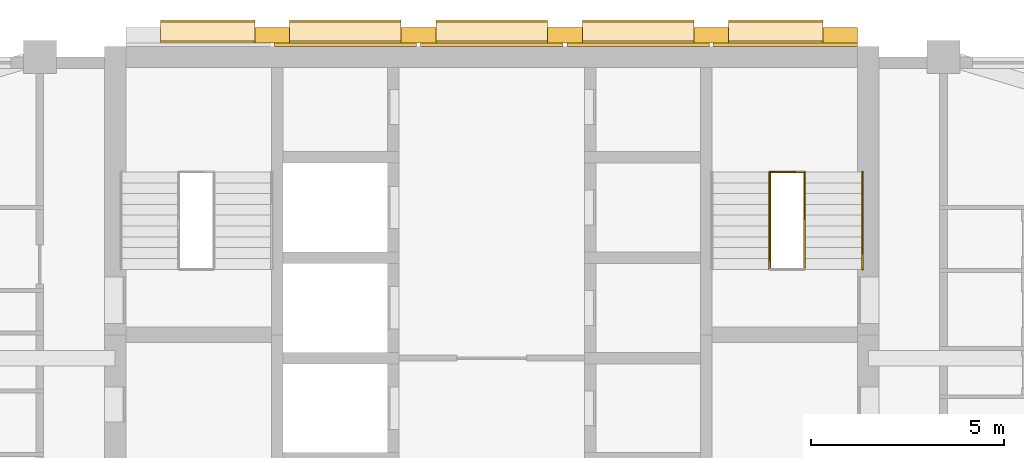
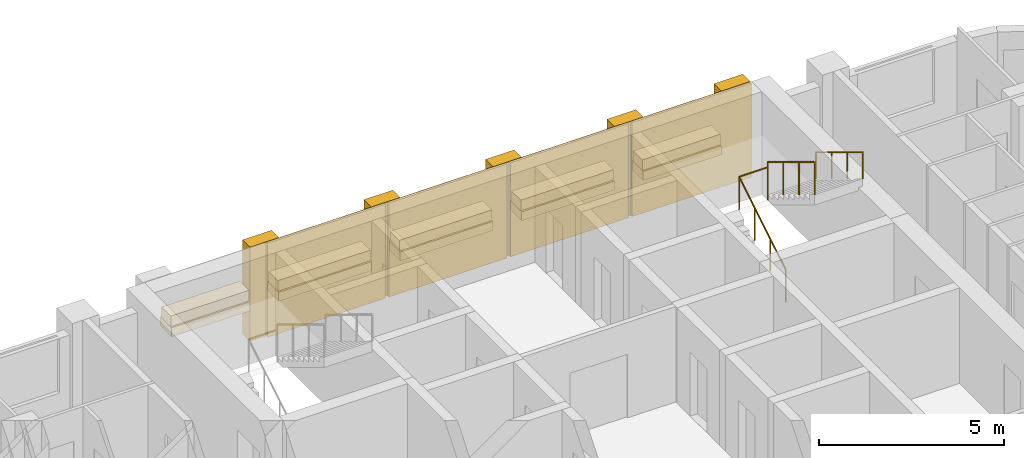
# One storey, part 14 of 14: 19 coverings, 4 railings, 1 element without a shape of its own.
"""IFC4 building model written with IfcOpenShell, lengths in metres."""

from ifc_helpers import new_model, si_unit, direction, frame, origin, origin_2d, place, context, subcontext, project, spatial, rectangle, circle, extrude, material, layer, layer_set, type_object, element, aggregate, save


model = new_model("IFC4")

# Units and contexts
model_context = context("Model", 3, precision=1e-05, world=origin(), true_north=direction((0.0, 1.0)))
body_context = subcontext(model_context, "Body", "Model", "MODEL_VIEW")
ifc_project = project(units=[si_unit("LENGTHUNIT", "METRE"), si_unit("AREAUNIT", "SQUARE_METRE"), si_unit("VOLUMEUNIT", "CUBIC_METRE"), si_unit("PLANEANGLEUNIT", "RADIAN"), si_unit("MASSUNIT", "GRAM", prefix="KILO")], contexts=[model_context])

# Site, building, storey
site_placement = place(None, origin())
site = spatial("IfcSite", under=ifc_project, at=site_placement, CompositionType="ELEMENT")
building_placement = place(site_placement, origin())
building = spatial("IfcBuilding", under=site, at=building_placement, Name="Ludao Terraces", CompositionType="ELEMENT")
storey_placement = place(building_placement, frame((0.0, 0.0, 110.10009765625)))
storey = spatial("IfcBuildingStorey", under=building, at=storey_placement, Name="L30", CompositionType="ELEMENT", Elevation=110.10009765625)

# Coverings
ifc_material_1 = material(Name="Granite cladding", Category="masonry")
ifc_layer_1 = layer(ifc_material_1, 0.39990234375)
ifc_layer_set_1 = layer_set([ifc_layer_1], Name="ENV Core pilaster stone 400")
covering_type_1 = type_object("IfcCoveringType", Name="ENV Core pilaster stone 400", PredefinedType="CLADDING", material=ifc_layer_set_1)
for number, where, z_axis, x_axis, name in (
    (1, (79.31494140625, 85.054931640625, -0.000244140625), (0.0, 0.0, 1.0), (1.0, 0.0, 0.0), "CC-L30-PIL2"),
    (2, (83.10498046875, 85.054931640625, -0.000244140625), (0.0, 0.0, 1.0), (1.0, 0.0, 0.0), "CC-L30-PIL3"),
    (3, (86.89501953125, 85.054931640625, -0.000244140625), (0.0, 0.0, 1.0), (1.0, 0.0, 0.0), "CC-L30-PIL4"),
    (4, (90.68505859375, 85.054931640625, -0.000244140625), (0.0, 0.0, 1.0), (1.0, 0.0, 0.0), "CC-L30-PIL5"),
    (5, (94.02490234375, 85.054931640625, -0.000244140625), (0.0, 0.0, 1.0), (1.0, 0.0, 0.0), "CC-L30-PIL6"),
):
    element("IfcCovering", number, at=place(storey_placement, frame(where, z_axis=z_axis, x_axis=x_axis)), inside=storey, type_object=covering_type_1, Name=name, PredefinedType="CLADDING", context=body_context, shape_type="SweptSolid", body=[
        extrude(rectangle(XDim=0.89990234375, YDim=0.39990234375, at=origin_2d()), origin(), (0.0, 0.0, 1.0), 3.10009765625),
    ])
ifc_layer_2 = layer(ifc_material_1, 0.60009765625)
ifc_layer_set_2 = layer_set([ifc_layer_2], Name="ENV Core planting shelf stone 600")
covering_type_2 = type_object("IfcCoveringType", Name="ENV Core planting shelf stone 600", PredefinedType="CLADDING", material=ifc_layer_set_2)
covering_1_placement = place(storey_placement, frame((77.64501953125, 85.155029296875, 1.0), z_axis=(0.0, 0.0, 1.0), x_axis=(1.0, 0.0, 0.0)))
element("IfcCovering", 6, at=covering_1_placement, inside=storey, type_object=covering_type_2, Name="CC-L30-SHELF1", PredefinedType="CLADDING", context=body_context, shape_type="SweptSolid", body=[
    extrude(rectangle(XDim=2.43994140625, YDim=0.60009765625, at=origin_2d()), origin(), (0.0, 0.0, 1.0), 0.300048828125),
])
for number, where, z_axis, x_axis, name in (
    (7, (81.2099609375, 85.155029296875, 1.0), (0.0, 0.0, 1.0), (1.0, 0.0, 0.0), "CC-L30-SHELF2"),
    (8, (85.0, 85.155029296875, 1.0), (0.0, 0.0, 1.0), (1.0, 0.0, 0.0), "CC-L30-SHELF3"),
    (9, (88.7900390625, 85.155029296875, 1.0), (0.0, 0.0, 1.0), (1.0, 0.0, 0.0), "CC-L30-SHELF4"),
):
    element("IfcCovering", number, at=place(storey_placement, frame(where, z_axis=z_axis, x_axis=x_axis)), inside=storey, type_object=covering_type_2, Name=name, PredefinedType="CLADDING", context=body_context, shape_type="SweptSolid", body=[
        extrude(rectangle(XDim=2.889892578125, YDim=0.60009765625, at=origin_2d()), origin(), (0.0, 0.0, 1.0), 0.300048828125),
    ])
covering_2_placement = place(storey_placement, frame((92.35498046875, 85.155029296875, 1.0), z_axis=(0.0, 0.0, 1.0), x_axis=(1.0, 0.0, 0.0)))
element("IfcCovering", 10, at=covering_2_placement, inside=storey, type_object=covering_type_2, Name="CC-L30-SHELF5", PredefinedType="CLADDING", context=body_context, shape_type="SweptSolid", body=[
    extrude(rectangle(XDim=2.43994140625, YDim=0.60009765625, at=origin_2d()), origin(), (0.0, 0.0, 1.0), 0.300048828125),
])
ifc_layer_3 = layer(ifc_material_1, 0.080078125)
ifc_layer_set_3 = layer_set([ifc_layer_3], Name="ENV Core stone cladding panel 80")
covering_type_3 = type_object("IfcCoveringType", Name="ENV Core stone cladding panel 80", PredefinedType="CLADDING", material=ifc_layer_set_3)
for number, where, z_axis, x_axis, name in (
    (11, (81.2099609375, 84.81494140625, -0.000244140625), (0.0, 0.0, 1.0), (1.0, 0.0, 0.0), "CC-L30-CORE2"),
    (12, (85.0, 84.81494140625, -0.000244140625), (0.0, 0.0, 1.0), (1.0, 0.0, 0.0), "CC-L30-CORE3"),
    (13, (88.7900390625, 84.81494140625, -0.000244140625), (0.0, 0.0, 1.0), (1.0, 0.0, 0.0), "CC-L30-CORE4"),
):
    element("IfcCovering", number, at=place(storey_placement, frame(where, z_axis=z_axis, x_axis=x_axis)), inside=storey, type_object=covering_type_3, Name=name, PredefinedType="CLADDING", context=body_context, shape_type="SweptSolid", body=[
        extrude(rectangle(XDim=3.68994140625, YDim=0.080078125, at=origin_2d()), origin(), (0.0, 0.0, 1.0), 3.10009765625),
    ])
covering_3_placement = place(storey_placement, frame((92.60498046875, 84.81494140625, -0.000244140625), z_axis=(0.0, 0.0, 1.0), x_axis=(1.0, 0.0, 0.0)))
element("IfcCovering", 14, at=covering_3_placement, inside=storey, type_object=covering_type_3, Name="CC-L30-CORE5", PredefinedType="CLADDING", context=body_context, shape_type="SweptSolid", body=[
    extrude(rectangle(XDim=3.739990234375, YDim=0.080078125, at=origin_2d()), origin(), (0.0, 0.0, 1.0), 3.10009765625),
])
ifc_material_2 = material(Name="Planting")
ifc_layer_4 = layer(ifc_material_2, 0.5)
ifc_layer_set_4 = layer_set([ifc_layer_4], Name="ENV Shelf planting bed 350")
covering_type_4 = type_object("IfcCoveringType", Name="ENV Shelf planting bed 350", PredefinedType="USERDEFINED", material=ifc_layer_set_4)
covering_4_placement = place(storey_placement, frame((77.64501953125, 85.155029296875, 1.2998046875), z_axis=(0.0, 0.0, 1.0), x_axis=(1.0, 0.0, 0.0)))
element("IfcCovering", 15, at=covering_4_placement, inside=storey, type_object=covering_type_4, Name="Shelf planting bed L30 1", ObjectType="PLANTING", PredefinedType="USERDEFINED", context=body_context, shape_type="SweptSolid", body=[
    extrude(rectangle(XDim=2.43994140625, YDim=0.5, at=origin_2d()), origin(), (0.0, 0.0, 1.0), 0.35009765625),
])
for number, where, z_axis, x_axis, name in (
    (16, (81.2099609375, 85.155029296875, 1.2998046875), (0.0, 0.0, 1.0), (1.0, 0.0, 0.0), "Shelf planting bed L30 2"),
    (17, (85.0, 85.155029296875, 1.2998046875), (0.0, 0.0, 1.0), (1.0, 0.0, 0.0), "Shelf planting bed L30 3"),
    (18, (88.7900390625, 85.155029296875, 1.2998046875), (0.0, 0.0, 1.0), (1.0, 0.0, 0.0), "Shelf planting bed L30 4"),
):
    element("IfcCovering", number, at=place(storey_placement, frame(where, z_axis=z_axis, x_axis=x_axis)), inside=storey, type_object=covering_type_4, Name=name, ObjectType="PLANTING", PredefinedType="USERDEFINED", context=body_context, shape_type="SweptSolid", body=[
        extrude(rectangle(XDim=2.889892578125, YDim=0.5, at=origin_2d()), origin(), (0.0, 0.0, 1.0), 0.35009765625),
    ])
covering_5_placement = place(storey_placement, frame((92.35498046875, 85.155029296875, 1.2998046875), z_axis=(0.0, 0.0, 1.0), x_axis=(1.0, 0.0, 0.0)))
element("IfcCovering", 19, at=covering_5_placement, inside=storey, type_object=covering_type_4, Name="Shelf planting bed L30 5", ObjectType="PLANTING", PredefinedType="USERDEFINED", context=body_context, shape_type="SweptSolid", body=[
    extrude(rectangle(XDim=2.43994140625, YDim=0.5, at=origin_2d()), origin(), (0.0, 0.0, 1.0), 0.35009765625),
])

# Stair, railings
ifc_material_3 = material(Name="Concrete C40", Category="concrete")
stair_type = type_object("IfcStairType", Name="INT Stair", PredefinedType="HALF_TURN_STAIR", material=ifc_material_3)
stair_placement = place(storey_placement, origin())
stair = element("IfcStair", 20, at=stair_placement, inside=storey, type_object=stair_type, Name="EXIT STAIR 2", PredefinedType="HALF_TURN_STAIR")
ifc_material_4 = material(Name="Stainless steel 304", Category="steel")
railing_type_1 = type_object("IfcRailingType", Name="INT Stair guard 1100", PredefinedType="GUARDRAIL", material=ifc_material_4)
railing_1_placement = place(storey_placement, frame((92.199951171875, 79.0, 0.169921875)))
railing_1 = element("IfcRailing", 21, at=railing_1_placement, type_object=railing_type_1, Name="ST-L30-S2-R1G", PredefinedType="GUARDRAIL", context=body_context, shape_type="SweptSolid", body=[
    extrude(circle(Radius=0.02392578125, at=origin_2d()), frame((0.0, 0.0, 1.076171875), z_axis=(0.0, 0.85478489116, 0.518982456201), x_axis=(-1.0, 0.0, 0.0)), (0.0, 0.0, 1.0), 2.9482421875),
    extrude(circle(Radius=0.02099609375, at=origin_2d()), origin(), (0.0, 0.0, 1.0), 1.052001953125),
    extrude(circle(Radius=0.02099609375, at=origin_2d()), frame((0.0, 0.840087890625, 0.510009765625)), (0.0, 0.0, 1.0), 1.052001953125),
    extrude(circle(Radius=0.02099609375, at=origin_2d()), frame((0.0, 1.679931640625, 1.02001953125)), (0.0, 0.0, 1.0), 1.052001953125),
    extrude(circle(Radius=0.02099609375, at=origin_2d()), frame((0.0, 2.52001953125, 1.530029296875)), (0.0, 0.0, 1.0), 1.052001953125),
])
railing_2_placement = place(storey_placement, frame((93.10009765625, 81.52001953125, 1.869873046875)))
railing_2 = element("IfcRailing", 22, at=railing_2_placement, type_object=railing_type_1, Name="ST-L30-S2-R2G", PredefinedType="GUARDRAIL", context=body_context, shape_type="SweptSolid", body=[
    extrude(circle(Radius=0.02392578125, at=origin_2d()), frame((0.0, 0.0, 1.076171875), z_axis=(0.0, -0.85478489116, 0.518982456201), x_axis=(1.0, 0.0, 0.0)), (0.0, 0.0, 1.0), 2.9482421875),
    extrude(circle(Radius=0.02099609375, at=origin_2d()), origin(), (0.0, 0.0, 1.0), 1.052001953125),
    extrude(circle(Radius=0.02099609375, at=origin_2d()), frame((0.0, -0.840087890625, 0.510009765625)), (0.0, 0.0, 1.0), 1.052001953125),
    extrude(circle(Radius=0.02099609375, at=origin_2d()), frame((0.0, -1.679931640625, 1.02001953125)), (0.0, 0.0, 1.0), 1.052001953125),
    extrude(circle(Radius=0.02099609375, at=origin_2d()), frame((0.0, -2.52001953125, 1.530029296875)), (0.0, 0.0, 1.0), 1.052001953125),
])
railing_3_placement = place(storey_placement, frame((92.199951171875, 81.52001953125, 1.699951171875)))
railing_3 = element("IfcRailing", 23, at=railing_3_placement, type_object=railing_type_1, Name="ST-L30-S2-E1G", PredefinedType="GUARDRAIL", context=body_context, shape_type="SweptSolid", body=[
    extrude(circle(Radius=0.02392578125, at=origin_2d()), frame((0.0, 0.0, 1.076171875), z_axis=(1.0, 0.0, 0.0), x_axis=(0.0, 1.0, 0.0)), (0.0, 0.0, 1.0), 0.900146484375),
    extrude(circle(Radius=0.02099609375, at=origin_2d()), origin(), (0.0, 0.0, 1.0), 1.052001953125),
    extrude(circle(Radius=0.02099609375, at=origin_2d()), frame((0.900146484375, 0.0, 0.0)), (0.0, 0.0, 1.0), 1.052001953125),
])
railing_type_2 = type_object("IfcRailingType", Name="INT Stair handrail 900", PredefinedType="HANDRAIL", material=ifc_material_4)
railing_4_placement = place(storey_placement, frame((94.60009765625, 81.52001953125, 1.869873046875)))
railing_4 = element("IfcRailing", 24, at=railing_4_placement, type_object=railing_type_2, Name="ST-L30-S2-R2H", PredefinedType="HANDRAIL", context=body_context, shape_type="SweptSolid", body=[
    extrude(circle(Radius=0.02392578125, at=origin_2d()), frame((0.0, 0.0, 0.8759765625), z_axis=(0.0, -0.85478489116, 0.518982456201), x_axis=(1.0, 0.0, 0.0)), (0.0, 0.0, 1.0), 2.9482421875),
    extrude(circle(Radius=0.02099609375, at=origin_2d()), origin(), (0.0, 0.0, 1.0), 0.851806640625),
    extrude(circle(Radius=0.02099609375, at=origin_2d()), frame((0.0, -0.840087890625, 0.510009765625)), (0.0, 0.0, 1.0), 0.851806640625),
    extrude(circle(Radius=0.02099609375, at=origin_2d()), frame((0.0, -1.679931640625, 1.02001953125)), (0.0, 0.0, 1.0), 0.851806640625),
    extrude(circle(Radius=0.02099609375, at=origin_2d()), frame((0.0, -2.52001953125, 1.530029296875)), (0.0, 0.0, 1.0), 0.851806640625),
])
aggregate(stair, [railing_1, railing_2, railing_4, railing_3])

save(model, "model.ifc")
